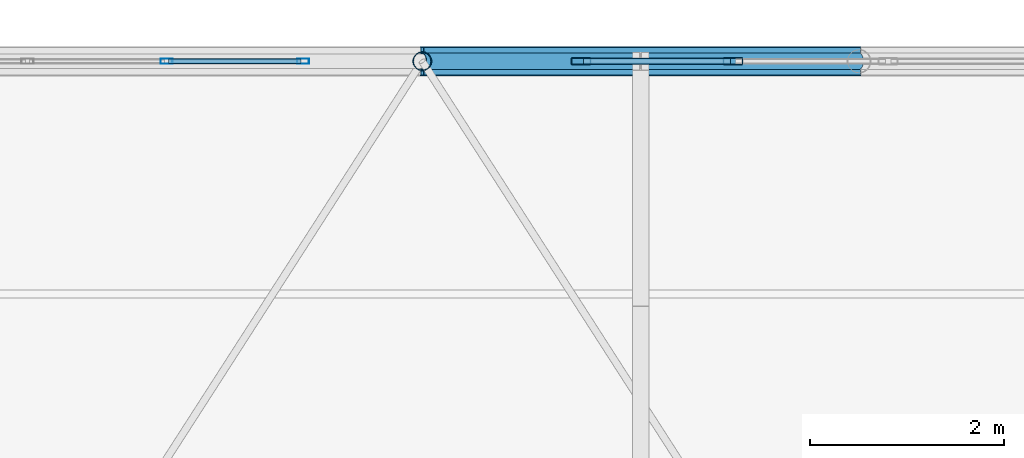
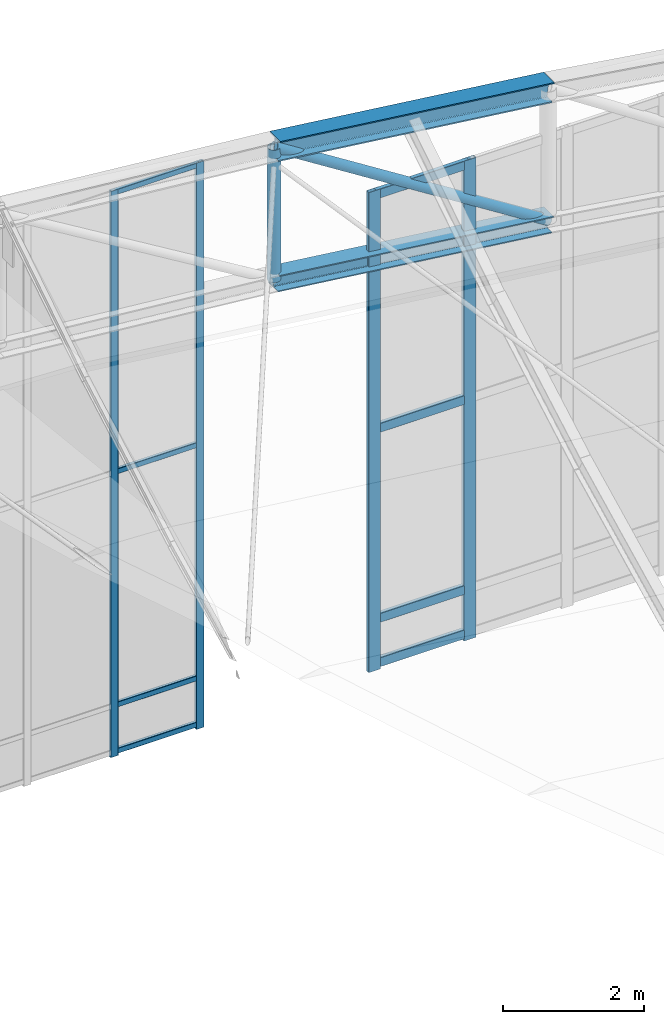
# One storey, part 215 of 262: 16 members, 2 elements without a shape of their own.
"""IFC4 building model written with IfcOpenShell, lengths in metres."""

from ifc_helpers import new_model, si_unit, derived_unit, direction, frame, origin, origin_2d, place, context, subcontext, project, spatial, hollow_rectangle, hollow_circle, i_section, extrude, material, layer, layer_set, material_profile, profile_set, type_object, element, aggregate, save


model = new_model("IFC4")

# Units and contexts
model_context = context("Model", 3, precision=1e-05, world=origin(), true_north=direction((0.0, 1.0)))
body_context = subcontext(model_context, "Body", "Model", "MODEL_VIEW")
ifc_project = project(units=[si_unit("LENGTHUNIT", "METRE"), si_unit("AREAUNIT", "SQUARE_METRE"), si_unit("VOLUMEUNIT", "CUBIC_METRE"), si_unit("PLANEANGLEUNIT", "RADIAN"), si_unit("MASSUNIT", "GRAM", prefix="KILO"), derived_unit("THERMALTRANSMITTANCEUNIT", [(si_unit("POWERUNIT", "WATT"), 1), (si_unit("LENGTHUNIT", "METRE"), -2), (si_unit("THERMODYNAMICTEMPERATUREUNIT", "KELVIN"), -1)])], contexts=[model_context])

# Site, building, storey
site_placement = place(None, origin())
site = spatial("IfcSite", under=ifc_project, at=site_placement, CompositionType="ELEMENT")
building_placement = place(site_placement, origin())
building = spatial("IfcBuilding", under=site, at=building_placement, Name="Almenara Railside Exhibition Hall", CompositionType="ELEMENT")
storey_placement = place(building_placement, frame((0.0, 0.0, 21.699951171875)))
storey = spatial("IfcBuildingStorey", under=building, at=storey_placement, Name="RF", CompositionType="ELEMENT", Elevation=21.699951171875)

# Members
ifc_material_1 = material(Name="Structural steel S355JR", Category="steel")
ifc_material_profile_1 = material_profile(ifc_material_1, i_section(OverallWidth=0.280029296875, OverallDepth=0.280029296875, WebThickness=0.010498046875, FlangeThickness=0.01806640625, FilletRadius=0.02392578125, at=origin_2d()), Name="HEB 280")
ifc_profile_set_1 = profile_set([ifc_material_profile_1], Name="Structural steel S355JR")
member_type_1 = type_object("IfcMemberType", Name="Arched Gable Bottom Chord HEB 280 S355JR", PredefinedType="CHORD", material=ifc_profile_set_1)
member_1_placement = place(storey_placement, frame((183.0, 132.0, 0.622314453125), z_axis=(0.992612220818, 0.0, -0.121330041965), x_axis=(0.0, 1.0, 0.0)))
element("IfcMember", 1, at=member_1_placement, inside=storey, type_object=member_type_1, Name="MEM-BC-V2-07-10", PredefinedType="CHORD", context=body_context, shape_type="SweptSolid", body=[
    extrude(i_section(OverallWidth=0.280029296875, OverallDepth=0.280029296875, WebThickness=0.010498046875, FlangeThickness=0.01806640625, FilletRadius=0.02392578125, at=origin_2d()), origin(), (0.0, 0.0, 1.0), 4.533447265625),
])
ifc_material_profile_2 = material_profile(ifc_material_1, i_section(OverallWidth=0.300048828125, OverallDepth=0.340087890625, WebThickness=0.011962890625, FlangeThickness=0.021484375, FilletRadius=0.027099609375, at=origin_2d()), Name="HEB 340")
ifc_profile_set_2 = profile_set([ifc_material_profile_2], Name="Structural steel S355JR")
member_type_2 = type_object("IfcMemberType", Name="Arched Gable Top Chord HEB 340 S355JR", PredefinedType="CHORD", material=ifc_profile_set_2)
member_2_placement = place(storey_placement, frame((183.0, 132.0, 2.92236328125), z_axis=(0.992612220818, 0.0, -0.121330041965), x_axis=(0.0, 1.0, 0.0)))
element("IfcMember", 2, at=member_2_placement, inside=storey, type_object=member_type_2, Name="MEM-TC-V2-07-10", PredefinedType="CHORD", context=body_context, shape_type="SweptSolid", body=[
    extrude(i_section(OverallWidth=0.300048828125, OverallDepth=0.340087890625, WebThickness=0.011962890625, FlangeThickness=0.021484375, FilletRadius=0.027099609375, at=origin_2d()), origin(), (0.0, 0.0, 1.0), 4.533447265625),
])

# Curtain wall, members
ifc_material_2 = material(Name="Bronze-anodised aluminium and low-E double glazing", Category="aluminium")
ifc_layer_1 = layer(ifc_material_2, 0.179931640625, Name="Bronze-anodised aluminium and low-E double glazing")
ifc_layer_set_1 = layer_set([ifc_layer_1], Name="Bronze-anodised aluminium and low-E double glazing")
curtain_wall_type_1 = type_object("IfcCurtainWallType", Name="Scroll Gable Tall Curtain Wall 3800x5400", PredefinedType="NOTDEFINED", material=ifc_layer_set_1)
curtain_wall_1_placement = place(storey_placement, origin())
curtain_wall_1 = element("IfcCurtainWall", 3, at=curtain_wall_1_placement, inside=storey, type_object=curtain_wall_type_1, Name="Curtain wall CW-G1-231", PredefinedType="NOTDEFINED")
ifc_material_3 = material(Name="Bronze-anodised aluminium", Category="aluminium")
ifc_material_profile_3 = material_profile(ifc_material_3, hollow_rectangle(XDim=0.054931640625, YDim=0.125, WallThickness=0.0029296875, InnerFilletRadius=0.0029296875, OuterFilletRadius=0.006103515625, at=origin_2d()), Name="ALU-MUL 55x125x3")
ifc_profile_set_3 = profile_set([ifc_material_profile_3], Name="Bronze-anodised aluminium")
member_type_3 = type_object("IfcMemberType", Name="Curtain Wall Mullion 55x125x3", PredefinedType="MULLION", material=ifc_profile_set_3)
member_3_placement = place(storey_placement, frame((180.36669921875, 132.0, -6.73486328125), z_axis=(0.0, 0.0, 1.0), x_axis=(0.0, 1.0, 0.0)))
member_3 = element("IfcMember", 4, at=member_3_placement, type_object=member_type_3, Name="CW-G1-231 mullion 3", PredefinedType="MULLION", context=body_context, shape_type="SweptSolid", body=[
    extrude(hollow_rectangle(XDim=0.054931640625, YDim=0.125, WallThickness=0.0029296875, InnerFilletRadius=0.0029296875, OuterFilletRadius=0.006103515625, at=origin_2d()), origin(), (0.0, 0.0, 1.0), 9.8349609375),
])
member_4_placement = place(storey_placement, frame((181.7724609375, 132.0, -6.73486328125), z_axis=(0.0, 0.0, 1.0), x_axis=(0.0, 1.0, 0.0)))
member_4 = element("IfcMember", 5, at=member_4_placement, type_object=member_type_3, Name="CW-G1-231 mullion 4", PredefinedType="MULLION", context=body_context, shape_type="SweptSolid", body=[
    extrude(hollow_rectangle(XDim=0.054931640625, YDim=0.125, WallThickness=0.0029296875, InnerFilletRadius=0.0029296875, OuterFilletRadius=0.006103515625, at=origin_2d()), origin(), (0.0, 0.0, 1.0), 9.8349609375),
])

ifc_layer_2 = layer(ifc_material_2, 0.179931640625, Name="Bronze-anodised aluminium and low-E double glazing")
ifc_layer_set_2 = layer_set([ifc_layer_2], Name="Bronze-anodised aluminium and low-E double glazing")
curtain_wall_type_2 = type_object("IfcCurtainWallType", Name="Scroll Gable Standard Curtain Wall 3600x5000", PredefinedType="NOTDEFINED", material=ifc_layer_set_2)
curtain_wall_2_placement = place(storey_placement, origin())
curtain_wall_2 = element("IfcCurtainWall", 6, at=curtain_wall_2_placement, inside=storey, type_object=curtain_wall_type_2, Name="Curtain wall CW-G2-224", PredefinedType="NOTDEFINED")
ifc_material_profile_4 = material_profile(ifc_material_3, hollow_rectangle(XDim=0.070068359375, YDim=0.199951171875, WallThickness=0.00439453125, InnerFilletRadius=0.00439453125, OuterFilletRadius=0.009033203125, at=origin_2d()), Name="ALU-MUL 70x200x4.5")
ifc_profile_set_4 = profile_set([ifc_material_profile_4], Name="Bronze-anodised aluminium")
member_type_4 = type_object("IfcMemberType", Name="Curtain Wall Mullion 70x200x4.5", PredefinedType="MULLION", material=ifc_profile_set_4)
member_5_placement = place(storey_placement, frame((184.635009765625, 132.0, -6.73486328125), z_axis=(0.0, 0.0, 1.0), x_axis=(0.0, 1.0, 0.0)))
member_5 = element("IfcMember", 7, at=member_5_placement, type_object=member_type_4, Name="CW-G2-224 mullion 1", PredefinedType="MULLION", context=body_context, shape_type="SweptSolid", body=[
    extrude(hollow_rectangle(XDim=0.070068359375, YDim=0.199951171875, WallThickness=0.00439453125, InnerFilletRadius=0.00439453125, OuterFilletRadius=0.009033203125, at=origin_2d()), origin(), (0.0, 0.0, 1.0), 8.3349609375),
])
member_6_placement = place(storey_placement, frame((186.199951171875, 132.0, -6.73486328125), z_axis=(0.0, 0.0, 1.0), x_axis=(0.0, 1.0, 0.0)))
member_6 = element("IfcMember", 8, at=member_6_placement, type_object=member_type_4, Name="CW-G2-224 mullion 2", PredefinedType="MULLION", context=body_context, shape_type="SweptSolid", body=[
    extrude(hollow_rectangle(XDim=0.070068359375, YDim=0.199951171875, WallThickness=0.00439453125, InnerFilletRadius=0.00439453125, OuterFilletRadius=0.009033203125, at=origin_2d()), origin(), (0.0, 0.0, 1.0), 8.3349609375),
])

# Member
ifc_material_profile_5 = material_profile(ifc_material_3, hollow_rectangle(XDim=0.054931640625, YDim=0.090087890625, WallThickness=0.0029296875, InnerFilletRadius=0.0029296875, OuterFilletRadius=0.006103515625, at=origin_2d()), Name="ALU-TRN 55x90x3")
ifc_profile_set_5 = profile_set([ifc_material_profile_5], Name="Bronze-anodised aluminium")
member_type_5 = type_object("IfcMemberType", Name="Curtain Wall Transom 55x90x3", PredefinedType="USERDEFINED", material=ifc_profile_set_5)
member_7_placement = place(storey_placement, frame((180.38623046875, 132.0, -6.655029296875), z_axis=(1.0, 0.0, 0.0), x_axis=(0.0, 1.0, 0.0)))
member_7 = element("IfcMember", 9, at=member_7_placement, type_object=member_type_5, Name="CW-G1-231 transom 3.1", ObjectType="TRANSOM", PredefinedType="USERDEFINED", context=body_context, shape_type="SweptSolid", body=[
    extrude(hollow_rectangle(XDim=0.054931640625, YDim=0.090087890625, WallThickness=0.0029296875, InnerFilletRadius=0.0029296875, OuterFilletRadius=0.006103515625, at=origin_2d()), origin(), (0.0, 0.0, 1.0), 1.36669921875),
])

member_8_placement = place(storey_placement, frame((180.38623046875, 132.0, -5.849853515625), z_axis=(1.0, 0.0, 0.0), x_axis=(0.0, 1.0, 0.0)))
member_8 = element("IfcMember", 10, at=member_8_placement, type_object=member_type_5, Name="CW-G1-231 transom 3.2", ObjectType="TRANSOM", PredefinedType="USERDEFINED", context=body_context, shape_type="SweptSolid", body=[
    extrude(hollow_rectangle(XDim=0.054931640625, YDim=0.090087890625, WallThickness=0.0029296875, InnerFilletRadius=0.0029296875, OuterFilletRadius=0.006103515625, at=origin_2d()), origin(), (0.0, 0.0, 1.0), 1.36669921875),
])

member_9_placement = place(storey_placement, frame((180.38623046875, 132.0, -1.800048828125), z_axis=(1.0, 0.0, 0.0), x_axis=(0.0, 1.0, 0.0)))
member_9 = element("IfcMember", 11, at=member_9_placement, type_object=member_type_5, Name="CW-G1-231 transom 3.3", ObjectType="TRANSOM", PredefinedType="USERDEFINED", context=body_context, shape_type="SweptSolid", body=[
    extrude(hollow_rectangle(XDim=0.054931640625, YDim=0.090087890625, WallThickness=0.0029296875, InnerFilletRadius=0.0029296875, OuterFilletRadius=0.006103515625, at=origin_2d()), origin(), (0.0, 0.0, 1.0), 1.36669921875),
])

member_10_placement = place(storey_placement, frame((180.38623046875, 132.0, 3.054931640625), z_axis=(1.0, 0.0, 0.0), x_axis=(0.0, 1.0, 0.0)))
member_10 = element("IfcMember", 12, at=member_10_placement, type_object=member_type_5, Name="CW-G1-231 transom 3.4", ObjectType="TRANSOM", PredefinedType="USERDEFINED", context=body_context, shape_type="SweptSolid", body=[
    extrude(hollow_rectangle(XDim=0.054931640625, YDim=0.090087890625, WallThickness=0.0029296875, InnerFilletRadius=0.0029296875, OuterFilletRadius=0.006103515625, at=origin_2d()), origin(), (0.0, 0.0, 1.0), 1.36669921875),
])

aggregate(curtain_wall_1, [member_3, member_4, member_7, member_8, member_9, member_10])

ifc_material_profile_6 = material_profile(ifc_material_3, hollow_rectangle(XDim=0.070068359375, YDim=0.159912109375, WallThickness=0.00390625, InnerFilletRadius=0.00390625, OuterFilletRadius=0.008056640625, at=origin_2d()), Name="ALU-TRN 70x160x4")
ifc_profile_set_6 = profile_set([ifc_material_profile_6], Name="Bronze-anodised aluminium")
member_type_6 = type_object("IfcMemberType", Name="Curtain Wall Transom 70x160x4", PredefinedType="USERDEFINED", material=ifc_profile_set_6)
member_11_placement = place(storey_placement, frame((184.662109375, 132.0, -6.619873046875), z_axis=(1.0, 0.0, 0.0), x_axis=(0.0, 1.0, 0.0)))
member_11 = element("IfcMember", 13, at=member_11_placement, type_object=member_type_6, Name="CW-G2-224 transom 1.1", ObjectType="TRANSOM", PredefinedType="USERDEFINED", context=body_context, shape_type="SweptSolid", body=[
    extrude(hollow_rectangle(XDim=0.070068359375, YDim=0.159912109375, WallThickness=0.00390625, InnerFilletRadius=0.00390625, OuterFilletRadius=0.008056640625, at=origin_2d()), origin(), (0.0, 0.0, 1.0), 1.510986328125),
])

member_12_placement = place(storey_placement, frame((184.662109375, 132.0, -5.849853515625), z_axis=(1.0, 0.0, 0.0), x_axis=(0.0, 1.0, 0.0)))
member_12 = element("IfcMember", 14, at=member_12_placement, type_object=member_type_6, Name="CW-G2-224 transom 1.2", ObjectType="TRANSOM", PredefinedType="USERDEFINED", context=body_context, shape_type="SweptSolid", body=[
    extrude(hollow_rectangle(XDim=0.070068359375, YDim=0.159912109375, WallThickness=0.00390625, InnerFilletRadius=0.00390625, OuterFilletRadius=0.008056640625, at=origin_2d()), origin(), (0.0, 0.0, 1.0), 1.510986328125),
])

member_13_placement = place(storey_placement, frame((184.662109375, 132.0, -2.550048828125), z_axis=(1.0, 0.0, 0.0), x_axis=(0.0, 1.0, 0.0)))
member_13 = element("IfcMember", 15, at=member_13_placement, type_object=member_type_6, Name="CW-G2-224 transom 1.3", ObjectType="TRANSOM", PredefinedType="USERDEFINED", context=body_context, shape_type="SweptSolid", body=[
    extrude(hollow_rectangle(XDim=0.070068359375, YDim=0.159912109375, WallThickness=0.00390625, InnerFilletRadius=0.00390625, OuterFilletRadius=0.008056640625, at=origin_2d()), origin(), (0.0, 0.0, 1.0), 1.510986328125),
])

member_14_placement = place(storey_placement, frame((184.662109375, 132.0, 1.52001953125), z_axis=(1.0, 0.0, 0.0), x_axis=(0.0, 1.0, 0.0)))
member_14 = element("IfcMember", 16, at=member_14_placement, type_object=member_type_6, Name="CW-G2-224 transom 1.4", ObjectType="TRANSOM", PredefinedType="USERDEFINED", context=body_context, shape_type="SweptSolid", body=[
    extrude(hollow_rectangle(XDim=0.070068359375, YDim=0.159912109375, WallThickness=0.00390625, InnerFilletRadius=0.00390625, OuterFilletRadius=0.008056640625, at=origin_2d()), origin(), (0.0, 0.0, 1.0), 1.510986328125),
])

aggregate(curtain_wall_2, [member_5, member_6, member_11, member_12, member_13, member_14])

# Members
ifc_material_profile_7 = material_profile(ifc_material_1, hollow_circle(Radius=0.084228515625, WallThickness=0.006103515625, at=origin_2d()), Name="CHS 168.3x6")
ifc_profile_set_7 = profile_set([ifc_material_profile_7], Name="Structural steel S355JR")
member_type_7 = type_object("IfcMemberType", Name="Truss End Diagonal CHS 168.3x6 S355JR", PredefinedType="BRACE", material=ifc_profile_set_7)
member_15_placement = place(storey_placement, frame((183.0, 132.0, 2.92236328125), z_axis=(0.844810788273, 0.0, -0.535065166141), x_axis=(0.0, 1.0, 0.0)))
element("IfcMember", 17, at=member_15_placement, inside=storey, type_object=member_type_7, Name="MEM-TD-V2-07-10", PredefinedType="BRACE", context=body_context, shape_type="SweptSolid", body=[
    extrude(hollow_circle(Radius=0.084228515625, WallThickness=0.006103515625, at=origin_2d()), origin(), (0.0, 0.0, 1.0), 5.32666015625),
])
ifc_material_profile_8 = material_profile(ifc_material_1, hollow_circle(Radius=0.096923828125, WallThickness=0.00634765625, at=origin_2d()), Name="CHS 193.7x6.3")
ifc_profile_set_8 = profile_set([ifc_material_profile_8], Name="Structural steel S355JR")
member_type_8 = type_object("IfcMemberType", Name="Truss Standard Vertical Strut CHS 193.7x6.3 S355JR", PredefinedType="BRACE", material=ifc_profile_set_8)
member_16_placement = place(storey_placement, frame((183.0, 132.0, 0.622314453125), z_axis=(0.0, 0.0, 1.0), x_axis=(1.0, 0.0, 0.0)))
element("IfcMember", 18, at=member_16_placement, inside=storey, type_object=member_type_8, Name="MEM-TV-V2-07-10", PredefinedType="BRACE", context=body_context, shape_type="SweptSolid", body=[
    extrude(hollow_circle(Radius=0.096923828125, WallThickness=0.00634765625, at=origin_2d()), origin(), (0.0, 0.0, 1.0), 2.300048828125),
])

save(model, "model.ifc")
